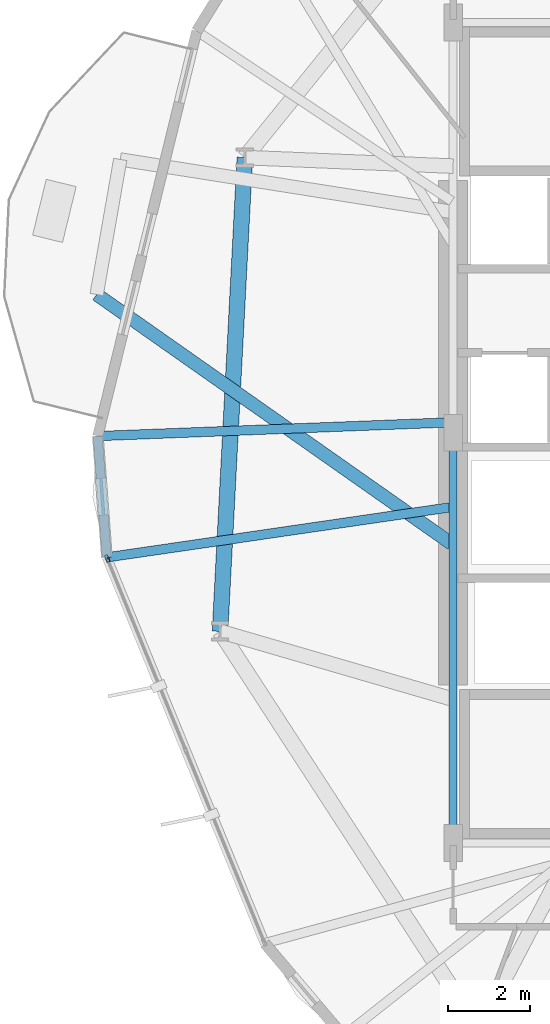
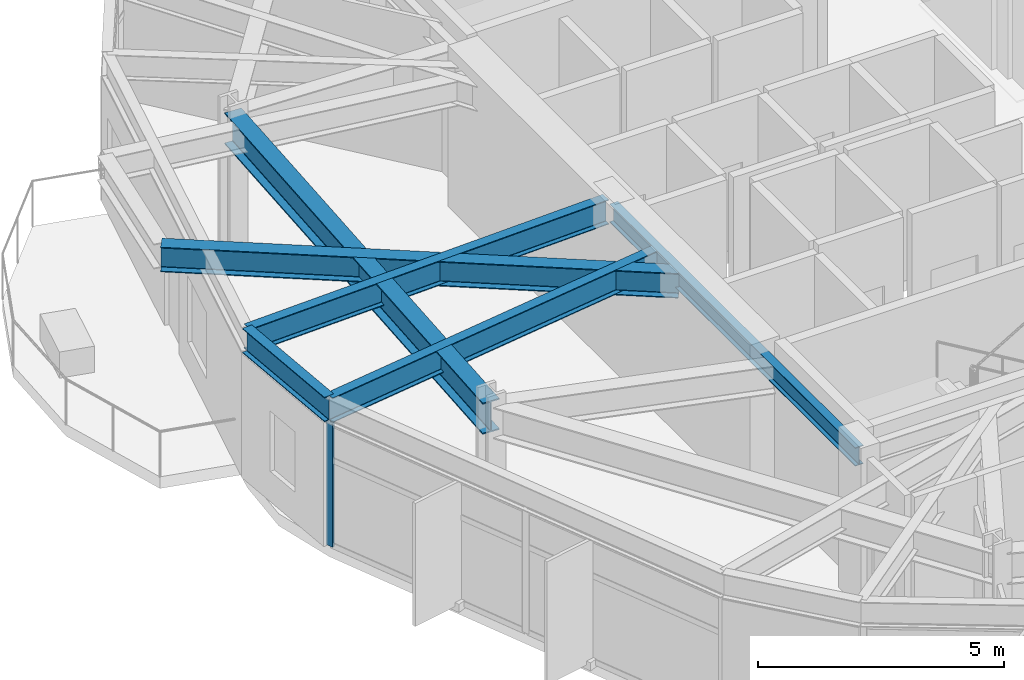
# One storey, part 7 of 22: 6 beams, 1 member, 1 element without a shape of its own.
"""IFC4 building model written with IfcOpenShell, lengths in metres."""

import ifcopenshell
import ifcopenshell.guid

model = None  # the IFC model being written
_history = None  # IfcOwnerHistory: only IFC2X3 demands one
_inside = {}  # id of a spatial element -> (the spatial element, [elements in it])
_under = {}  # id of a project, library or spatial element -> (it, [spatial elements below it])
_declared = {}  # id of a project -> (the project, [libraries it declares])
_typed = {}  # id of a type object -> (the type object, [elements of that type])
_made_of = {}  # id of a material, layer set ... -> (it, [elements and type objects made of it])


def new_model(schema):
    """Start an empty IFC model of exactly this schema.

    Asked for "IFC4X3", IfcOpenShell would pick the latest addendum, in which some entities
    have other attributes; the version numbers below select the first issue.
    IFC2X3 requires an IfcOwnerHistory on every rooted entity: one is made here for all.
    """
    global model, _history
    if schema == "IFC4X3":
        model = ifcopenshell.file(schema_version=(4, 3, 0, 0))
    else:
        model = ifcopenshell.file(schema=schema)
    _inside.clear()
    _under.clear()
    _declared.clear()
    _typed.clear()
    _made_of.clear()
    _history = None
    if model.schema == "IFC2X3":
        org = make("IfcOrganization", Name="unknown")
        user = make(
            "IfcPersonAndOrganization",
            ThePerson=make("IfcPerson", FamilyName="unknown"),
            TheOrganization=org,
        )
        app = make(
            "IfcApplication",
            ApplicationDeveloper=org,
            Version="unknown",
            ApplicationFullName="unknown",
            ApplicationIdentifier="unknown",
        )
        _history = make(
            "IfcOwnerHistory",
            OwningUser=user,
            OwningApplication=app,
            ChangeAction="ADDED",
            CreationDate=0,
        )
    return model


def make(cls, **values):
    """One entity of the class cls with the attributes given. An attribute that is None is left unset."""
    return model.create_entity(
        cls, **{name: value for name, value in values.items() if value is not None}
    )


def rooted(cls, **values):
    """An entity with a GlobalId (a new one), such as an element, a storey or a relation."""
    return make(cls, GlobalId=ifcopenshell.guid.new(), OwnerHistory=_history, **values)


def si_unit(unit_type, name, prefix=None):
    """IfcSIUnit, for example si_unit("LENGTHUNIT", "METRE", prefix="MILLI")."""
    return make("IfcSIUnit", UnitType=unit_type, Prefix=prefix, Name=name)


def assignment(units):
    """IfcUnitAssignment: the units of a project."""
    return None if units is None else make("IfcUnitAssignment", Units=units)


def point(xyz):
    """IfcCartesianPoint."""
    return None if xyz is None else make("IfcCartesianPoint", Coordinates=xyz)


def direction(xyz):
    """IfcDirection."""
    return None if xyz is None else make("IfcDirection", DirectionRatios=xyz)


def frame(location, z_axis=None, x_axis=None):
    """IfcAxis2Placement3D, a coordinate frame: its origin and axes. An axis left out is left unset."""
    return make(
        "IfcAxis2Placement3D",
        Location=point(location),
        Axis=direction(z_axis),
        RefDirection=direction(x_axis),
    )


def frame_2d(location, x_axis=None):
    """IfcAxis2Placement2D, a coordinate frame in the plane: its origin and x axis."""
    return make(
        "IfcAxis2Placement2D", Location=point(location), RefDirection=direction(x_axis)
    )


def origin():
    """The frame at (0, 0, 0) with its axes left unset."""
    return frame((0.0, 0.0, 0.0))


def origin_2d():
    """The frame at (0, 0) in the plane with its x axis left unset."""
    return frame_2d((0.0, 0.0))


def place(relative_to, where):
    """IfcLocalPlacement: puts the frame where relative to a parent placement (None: the world)."""
    return make(
        "IfcLocalPlacement", PlacementRelTo=relative_to, RelativePlacement=where
    )


def context(
    kind, dimensions, precision=None, world=None, true_north=None, identifier=None
):
    """IfcGeometricRepresentationContext, for example the 3D "Model" context."""
    return make(
        "IfcGeometricRepresentationContext",
        ContextIdentifier=identifier,
        ContextType=kind,
        CoordinateSpaceDimension=dimensions,
        Precision=precision,
        WorldCoordinateSystem=world,
        TrueNorth=true_north,
    )


def subcontext(parent, identifier, kind, view, scale=None):
    """IfcGeometricRepresentationSubContext, for example "Body" below "Model"."""
    return make(
        "IfcGeometricRepresentationSubContext",
        ContextIdentifier=identifier,
        ContextType=kind,
        ParentContext=parent,
        TargetScale=scale,
        TargetView=view,
    )


def project(units=None, contexts=None):
    """IfcProject with its units and contexts."""
    return rooted(
        "IfcProject",
        Name="project",
        RepresentationContexts=contexts,
        UnitsInContext=assignment(units),
    )


def spatial(cls, under=None, at=None, **own):
    """A site, building, storey or space (cls), placed at a placement, below another one or the project."""
    s = rooted(cls, ObjectPlacement=at, **own)
    if under is not None:
        _under.setdefault(under.id(), (under, []))[1].append(s)
    return s


def profile(cls, at=None, kind="AREA", **sizes):
    """A parametric profile (cls). Its sizes go by their IFC names, for example OverallWidth=200.0."""
    return make(cls, ProfileType=kind, Position=at, **sizes)


def hollow_rectangle(**sizes):
    """IfcRectangleHollowProfileDef."""
    return profile("IfcRectangleHollowProfileDef", **sizes)


def i_section(**sizes):
    """IfcIShapeProfileDef."""
    return profile("IfcIShapeProfileDef", **sizes)


def extrude(swept, where, along, depth):
    """IfcExtrudedAreaSolid: the profile swept, set in the frame where, extruded along a direction by depth."""
    return make(
        "IfcExtrudedAreaSolid",
        SweptArea=swept,
        Position=where,
        ExtrudedDirection=direction(along),
        Depth=depth,
    )


def shape(context_of_items, identifier, shape_type, items):
    """IfcShapeRepresentation: the items that make up one representation, for example the "Body"."""
    return make(
        "IfcShapeRepresentation",
        ContextOfItems=context_of_items,
        RepresentationIdentifier=identifier,
        RepresentationType=shape_type,
        Items=items,
    )


def material(Name=None, Category=None):
    """IfcMaterial."""
    return make("IfcMaterial", Name=Name, Category=Category)


def layer(
    of_material, thickness, ventilated=None, Name=None, Category=None, Priority=None
):
    """IfcMaterialLayer: one layer of a wall or slab, of a material (None: an air gap)."""
    return make(
        "IfcMaterialLayer",
        Material=of_material,
        LayerThickness=thickness,
        IsVentilated=ventilated,
        Name=Name,
        Category=Category,
        Priority=Priority,
    )


def layer_set(layers, Name=None):
    """IfcMaterialLayerSet."""
    return make("IfcMaterialLayerSet", MaterialLayers=layers, LayerSetName=Name)


def material_profile(
    of_material, cross_section, Name=None, Category=None, Priority=None
):
    """IfcMaterialProfile: a cross section and its material."""
    return make(
        "IfcMaterialProfile",
        Name=Name,
        Material=of_material,
        Profile=cross_section,
        Priority=Priority,
        Category=Category,
    )


def profile_set(profiles, Name=None, composite=None):
    """IfcMaterialProfileSet."""
    return make(
        "IfcMaterialProfileSet",
        Name=Name,
        MaterialProfiles=profiles,
        CompositeProfile=composite,
    )


def made_of(thing, what):
    """Note that an element or type object is made of a material, layer set ...; save() writes the relation."""
    if what is not None:
        _made_of.setdefault(what.id(), (what, []))[1].append(thing)
    return thing


def type_object(cls, material=None, **own):
    """A type object (cls), such as IfcWallType, which elements share."""
    return made_of(rooted(cls, **own), material)


def element(
    cls,
    number,
    at=None,
    inside=None,
    cuts=None,
    type_object=None,
    material=None,
    context=None,
    identifier="Body",
    shape_type=None,
    held_by="IfcProductDefinitionShape",
    body=None,
    shapes=None,
    **own,
):
    """One element of the class cls, such as IfcWall. Its Tag is "e" and its number.

    at: its placement. inside: the storey or other place that contains it. cuts: it is an
    opening in that element (IfcRelVoidsElement). A single representation is given by context,
    identifier, shape_type and body (its items); several are given by shapes. held_by: the class
    of the entity that holds the representations. save() writes the other relations.
    """
    e = rooted(cls, Tag="e%d" % number, ObjectPlacement=at, **own)
    if body is not None:
        shapes = [shape(context, identifier, shape_type, body)]
    if shapes is not None:
        e.Representation = make(held_by, Representations=shapes)
    if inside is not None:
        _inside.setdefault(inside.id(), (inside, []))[1].append(e)
    if cuts is not None:
        rooted(
            "IfcRelVoidsElement", RelatingBuildingElement=cuts, RelatedOpeningElement=e
        )
    if type_object is not None:
        _typed.setdefault(type_object.id(), (type_object, []))[1].append(e)
    return made_of(e, material)


def aggregate(whole, parts):
    """IfcRelAggregates: a whole, such as a stair, and the parts it consists of."""
    return rooted("IfcRelAggregates", RelatingObject=whole, RelatedObjects=parts)


def save(model, path):
    """Write the relations noted so far, then the file.

    IfcRelAggregates (storeys below a building ...), IfcRelContainedInSpatialStructure (elements
    in a storey), IfcRelDefinesByType, IfcRelAssociatesMaterial and IfcRelDeclares: one each for
    every whole, place, type object, material and project.
    """
    for whole, parts in _under.values():
        aggregate(whole, parts)
    for where, things in _inside.values():
        rooted(
            "IfcRelContainedInSpatialStructure",
            RelatedElements=things,
            RelatingStructure=where,
        )
    for kind, things in _typed.values():
        rooted("IfcRelDefinesByType", RelatedObjects=things, RelatingType=kind)
    for what, things in _made_of.values():
        rooted("IfcRelAssociatesMaterial", RelatedObjects=things, RelatingMaterial=what)
    for by, libraries in _declared.values():
        rooted("IfcRelDeclares", RelatingContext=by, RelatedDefinitions=libraries)
    model.write(path)


model = new_model("IFC4")

# Units and contexts
model_context = context("Model", 3, precision=1e-05, world=origin(), true_north=direction((0.0, 1.0)))
body_context = subcontext(model_context, "Body", "Model", "MODEL_VIEW")
ifc_project = project(units=[si_unit("LENGTHUNIT", "METRE"), si_unit("AREAUNIT", "SQUARE_METRE"), si_unit("VOLUMEUNIT", "CUBIC_METRE"), si_unit("PLANEANGLEUNIT", "RADIAN"), si_unit("MASSUNIT", "GRAM", prefix="KILO")], contexts=[model_context])

# Site, building, storey
site_placement = place(None, origin())
site = spatial("IfcSite", under=ifc_project, at=site_placement, CompositionType="ELEMENT")
building_placement = place(site_placement, origin())
building = spatial("IfcBuilding", under=site, at=building_placement, Name="Soratama Intermodal Tower", CompositionType="ELEMENT")
storey_placement = place(building_placement, frame((0.0, 0.0, 46.60009765625)))
storey = spatial("IfcBuildingStorey", under=building, at=storey_placement, Name="L10", CompositionType="ELEMENT", Elevation=46.60009765625)

# Beams
ifc_material_1 = material(Name="Structural steel ASTM A992 Grade 50", Category="steel")
ifc_material_profile_1 = material_profile(ifc_material_1, i_section(OverallWidth=0.324951171875, OverallDepth=0.615966796875, WebThickness=0.013916015625, FlangeThickness=0.021484375, FilletRadius=0.013916015625, at=origin_2d()), Name="W24X117")
ifc_profile_set_1 = profile_set([ifc_material_profile_1], Name="Structural steel ASTM A992 Grade 50")
beam_type_1 = type_object("IfcBeamType", Name="BM-CANT-W24X117", PredefinedType="BEAM", material=ifc_profile_set_1)
beam_1_placement = place(storey_placement, frame((32.56689453125, 22.291015625, 3.391845703125), z_axis=(-0.818334272035, 0.574742567776, 0.0), x_axis=(-0.574742567776, -0.818334272035, 0.0)))
element("IfcBeam", 1, at=beam_1_placement, inside=storey, type_object=beam_type_1, Name="BM-L10-CANT-3-2", PredefinedType="BEAM", context=body_context, shape_type="SweptSolid", body=[
    extrude(i_section(OverallWidth=0.324951171875, OverallDepth=0.615966796875, WebThickness=0.013916015625, FlangeThickness=0.021484375, FilletRadius=0.013916015625, at=origin_2d()), origin(), (0.0, 0.0, 1.0), 10.578857421875),
])
ifc_material_2 = material(Name="Structural steel ASTM A992 Grade 50", Category="steel")
ifc_material_profile_2 = material_profile(ifc_material_2, i_section(OverallWidth=0.19091796875, OverallDepth=0.4599609375, WebThickness=0.010009765625, FlangeThickness=0.01611328125, FilletRadius=0.010986328125, at=origin_2d()), Name="W18X55")
ifc_profile_set_2 = profile_set([ifc_material_profile_2], Name="Structural steel ASTM A992 Grade 50")
beam_type_2 = type_object("IfcBeamType", Name="BM-FLR-W18X55", PredefinedType="BEAM", material=ifc_profile_set_2)
beam_2_placement = place(storey_placement, frame((32.60009765625, 25.0, 3.469970703125), z_axis=(0.0, -1.0, 0.0), x_axis=(1.0, 0.0, 0.0)))
element("IfcBeam", 2, at=beam_2_placement, inside=storey, type_object=beam_type_2, Name="BM-L10-CRING-09", PredefinedType="BEAM", context=body_context, shape_type="SweptSolid", body=[
    extrude(i_section(OverallWidth=0.19091796875, OverallDepth=0.4599609375, WebThickness=0.010009765625, FlangeThickness=0.01611328125, FilletRadius=0.010986328125, at=origin_2d()), origin(), (0.0, 0.0, 1.0), 10.0),
])
ifc_material_3 = material(Name="Structural steel ASTM A992 Grade 50", Category="steel")
ifc_material_profile_3 = material_profile(ifc_material_3, i_section(OverallWidth=0.382080078125, OverallDepth=0.779052734375, WebThickness=0.01806640625, FlangeThickness=0.030029296875, FilletRadius=0.01806640625, at=origin_2d()), Name="W30X191")
ifc_profile_set_3 = profile_set([ifc_material_profile_3], Name="Structural steel ASTM A992 Grade 50")
beam_type_3 = type_object("IfcBeamType", Name="BM-RING-W30X191", PredefinedType="BEAM", material=ifc_profile_set_3)
beam_3_placement = place(storey_placement, frame((27.52294921875, 31.708984375, 3.310302734375), z_axis=(-0.052289698717, -0.998631957935, 0.0), x_axis=(0.998631957935, -0.052289698717, 0.0)))
element("IfcBeam", 3, at=beam_3_placement, inside=storey, type_object=beam_type_3, Name="BM-L10-RING-05", PredefinedType="BEAM", context=body_context, shape_type="SweptSolid", body=[
    extrude(i_section(OverallWidth=0.382080078125, OverallDepth=0.779052734375, WebThickness=0.01806640625, FlangeThickness=0.030029296875, FilletRadius=0.01806640625, at=origin_2d()), origin(), (0.0, 0.0, 1.0), 11.56982421875),
])
ifc_material_4 = material(Name="Structural steel ASTM A992 Grade 50", Category="steel")
ifc_material_profile_4 = material_profile(ifc_material_4, i_section(OverallWidth=0.22900390625, OverallDepth=0.612060546875, WebThickness=0.011962890625, FlangeThickness=0.01953125, FilletRadius=0.012939453125, at=origin_2d()), Name="W24X84")
ifc_profile_set_4 = profile_set([ifc_material_profile_4], Name="Structural steel ASTM A992 Grade 50")
beam_type_4 = type_object("IfcBeamType", Name="BM-SPN-W24X84", PredefinedType="SPANDREL", material=ifc_profile_set_4)
beam_4_placement = place(storey_placement, frame((23.93505859375, 24.91796875, 3.393798828125), z_axis=(0.074159705055, -0.997246377856, 0.0), x_axis=(0.997246377856, 0.074159705055, 0.0)))
element("IfcBeam", 4, at=beam_4_placement, inside=storey, type_object=beam_type_4, Name="BS-L10-CRN05", PredefinedType="SPANDREL", context=body_context, shape_type="SweptSolid", body=[
    extrude(i_section(OverallWidth=0.22900390625, OverallDepth=0.612060546875, WebThickness=0.011962890625, FlangeThickness=0.01953125, FilletRadius=0.012939453125, at=origin_2d()), origin(), (0.0, 0.0, 1.0), 2.966064453125),
])
ifc_material_5 = material(Name="Structural steel ASTM A992 Grade 50", Category="steel")
ifc_material_profile_5 = material_profile(ifc_material_5, i_section(OverallWidth=0.22900390625, OverallDepth=0.612060546875, WebThickness=0.011962890625, FlangeThickness=0.01953125, FilletRadius=0.012939453125, at=origin_2d()), Name="W24X84")
ifc_profile_set_5 = profile_set([ifc_material_profile_5], Name="Structural steel ASTM A992 Grade 50")
beam_type_5 = type_object("IfcBeamType", Name="BM-TIE-W24X84", PredefinedType="BEAM", material=ifc_profile_set_5)
beam_5_placement = place(storey_placement, frame((32.56005859375, 25.2529296875, 3.393798828125), z_axis=(-0.999246732555, -0.038806796792, 0.0), x_axis=(0.038806796792, -0.999246732555, 0.0)))
element("IfcBeam", 5, at=beam_5_placement, inside=storey, type_object=beam_type_5, Name="BM-L10-TIE1-05", PredefinedType="BEAM", context=body_context, shape_type="SweptSolid", body=[
    extrude(i_section(OverallWidth=0.22900390625, OverallDepth=0.612060546875, WebThickness=0.011962890625, FlangeThickness=0.01953125, FilletRadius=0.012939453125, at=origin_2d()), origin(), (0.0, 0.0, 1.0), 8.631591796875),
])
beam_6_placement = place(storey_placement, frame((32.56005859375, 23.18603515625, 3.393798828125), z_axis=(-0.989527251275, -0.14434617759, 0.0), x_axis=(0.14434617759, -0.989527251275, 0.0)))
element("IfcBeam", 6, at=beam_6_placement, inside=storey, type_object=beam_type_5, Name="BM-L10-TIE0-06", PredefinedType="BEAM", context=body_context, shape_type="SweptSolid", body=[
    extrude(i_section(OverallWidth=0.22900390625, OverallDepth=0.612060546875, WebThickness=0.011962890625, FlangeThickness=0.01953125, FilletRadius=0.012939453125, at=origin_2d()), origin(), (0.0, 0.0, 1.0), 8.493896484375),
])

# Curtain wall, member
ifc_material_6 = material(Name="Double-glazed aluminium curtain wall", Category="aluminium")
ifc_layer = layer(ifc_material_6, 0.159912109375)
ifc_layer_set = layer_set([ifc_layer], Name="Double-glazed aluminium curtain wall")
curtain_wall_type = type_object("IfcCurtainWallType", Name="CW-SYS-2", PredefinedType="NOTDEFINED", material=ifc_layer_set)
curtain_wall_placement = place(storey_placement, origin())
curtain_wall = element("IfcCurtainWall", 7, at=curtain_wall_placement, inside=storey, type_object=curtain_wall_type, Name="L10 Faceted Curtain Wall F06", PredefinedType="NOTDEFINED")
ifc_material_7 = material(Name="Anodised aluminium AA 6063-T6", Category="aluminium")
ifc_material_profile_6 = material_profile(ifc_material_7, hollow_rectangle(XDim=0.074951171875, YDim=0.179931640625, WallThickness=0.006103515625, InnerFilletRadius=0.006103515625, OuterFilletRadius=0.011962890625, at=origin_2d()), Name="CWM180X75X6")
ifc_profile_set_6 = profile_set([ifc_material_profile_6], Name="Anodised aluminium AA 6063-T6")
member_type = type_object("IfcMemberType", Name="MT-CWM-2", PredefinedType="MULLION", material=ifc_profile_set_6)
member_placement = place(storey_placement, frame((24.166748046875, 21.93212890625, 0.0), z_axis=(0.0, 0.0, 1.0), x_axis=(0.925473287982, 0.378812873636, 0.0)))
member = element("IfcMember", 8, at=member_placement, type_object=member_type, Name="CW-2 mullion 1", PredefinedType="MULLION", context=body_context, shape_type="SweptSolid", body=[
    extrude(hollow_rectangle(XDim=0.074951171875, YDim=0.179931640625, WallThickness=0.006103515625, InnerFilletRadius=0.006103515625, OuterFilletRadius=0.011962890625, at=origin_2d()), origin(), (0.0, 0.0, 1.0), 3.078857421875),
])
aggregate(curtain_wall, [member])

save(model, "model.ifc")
